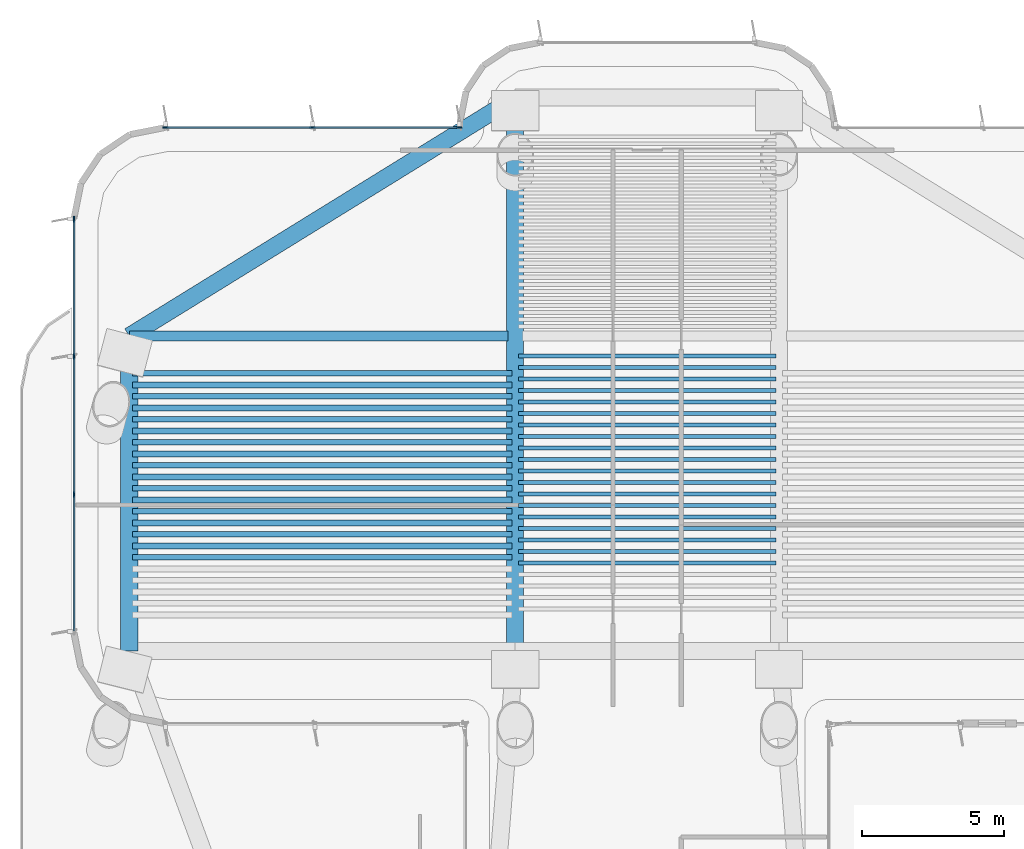
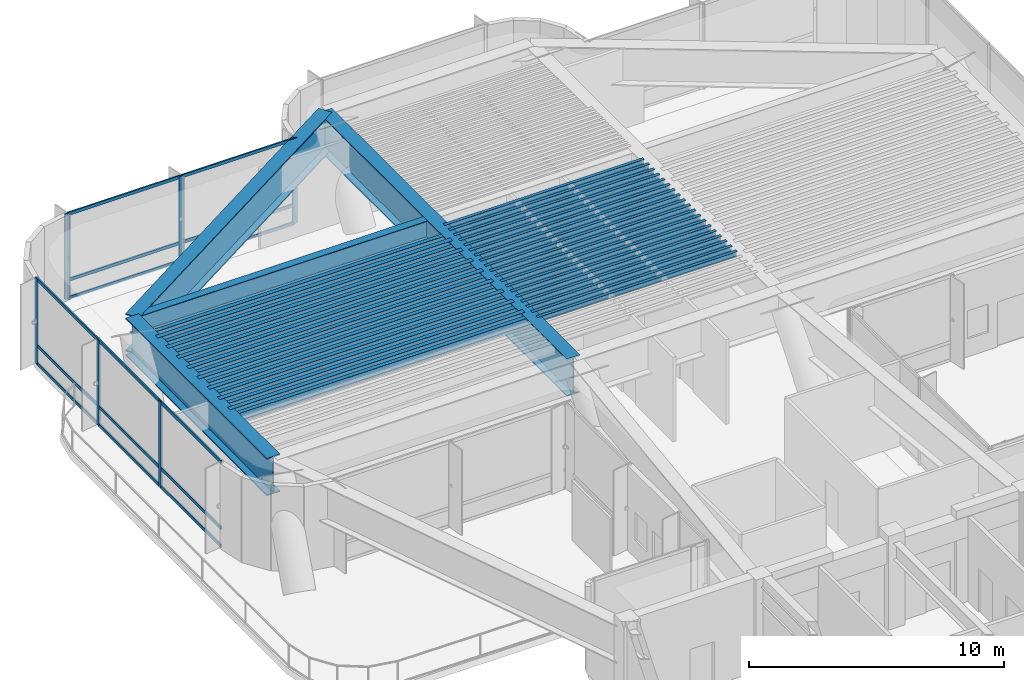
# One storey, part 5 of 13: 40 beams, 21 members, 2 elements without a shape of their own.
"""IFC4 building model written with IfcOpenShell, lengths in metres."""

from ifc_helpers import new_model, si_unit, direction, frame, origin, origin_2d, place, context, subcontext, project, spatial, rectangle, i_section, extrude, source, transform, mapped, material, layer, layer_set, material_profile, profile_set, type_object, element, aggregate, save


model = new_model("IFC4")

# Units and contexts
model_context = context("Model", 3, precision=1e-05, world=origin(), true_north=direction((0.0, 1.0)))
body_context = subcontext(model_context, "Body", "Model", "MODEL_VIEW")
ifc_project = project(units=[si_unit("LENGTHUNIT", "METRE"), si_unit("AREAUNIT", "SQUARE_METRE"), si_unit("VOLUMEUNIT", "CUBIC_METRE"), si_unit("PLANEANGLEUNIT", "RADIAN"), si_unit("MASSUNIT", "GRAM", prefix="KILO")], contexts=[model_context])

# Site, building, storey
site_placement = place(None, origin())
site = spatial("IfcSite", under=ifc_project, at=site_placement, CompositionType="ELEMENT")
building_placement = place(site_placement, origin())
building = spatial("IfcBuilding", under=site, at=building_placement, Name="Brelvock Crest Care Tower", CompositionType="ELEMENT")
storey_placement = place(building_placement, frame((0.0, 0.0, 151.919921875)))
storey = spatial("IfcBuildingStorey", under=building, at=storey_placement, Name="L38", CompositionType="ELEMENT", Elevation=151.919921875)

# Beams
ifc_material_1 = material(Name="Steel Grade 350", Category="steel")
ifc_material_profile_1 = material_profile(ifc_material_1, i_section(OverallWidth=0.14599609375, OverallDepth=0.256103515625, WebThickness=0.00634765625, FlangeThickness=0.010986328125, FilletRadius=0.0087890625, at=origin_2d()), Name="250UB37.3")
ifc_profile_set_1 = profile_set([ifc_material_profile_1], Name="Steel Grade 350")
beam_type_1 = type_object("IfcBeamType", Name="BM-J3", PredefinedType="JOIST", material=ifc_profile_set_1)
shared_shape_1 = source(origin(), body_context, "Body", "SweptSolid", [
    extrude(i_section(OverallWidth=0.14599609375, OverallDepth=0.256103515625, WebThickness=0.00634765625, FlangeThickness=0.010986328125, FilletRadius=0.0087890625, at=origin_2d()), origin(), (0.0, 0.0, 1.0), 9.06982421875),
])
for number, where, z_axis, x_axis, name in (
    (1, (31.465087890625, 38.0498046875, 3.964111328125), (1.0, 0.0, 0.0), (0.0, 1.0, 0.0), "BM-JH-L38-7"),
    (2, (31.465087890625, 38.454833984375, 3.964111328125), (1.0, 0.0, 0.0), (0.0, 1.0, 0.0), "BM-JH-L38-8"),
    (3, (31.465087890625, 38.860107421875, 3.964111328125), (1.0, 0.0, 0.0), (0.0, 1.0, 0.0), "BM-JH-L38-9"),
    (4, (31.465087890625, 39.26513671875, 3.964111328125), (1.0, 0.0, 0.0), (0.0, 1.0, 0.0), "BM-JH-L38-10"),
    (5, (31.465087890625, 39.67041015625, 3.964111328125), (1.0, 0.0, 0.0), (0.0, 1.0, 0.0), "BM-JH-L38-11"),
    (6, (31.465087890625, 40.075439453125, 3.964111328125), (1.0, 0.0, 0.0), (0.0, 1.0, 0.0), "BM-JH-L38-12"),
    (7, (31.465087890625, 40.480712890625, 3.964111328125), (1.0, 0.0, 0.0), (0.0, 1.0, 0.0), "BM-JH-L38-13"),
    (8, (31.465087890625, 40.8857421875, 3.964111328125), (1.0, 0.0, 0.0), (0.0, 1.0, 0.0), "BM-JH-L38-14"),
    (9, (31.465087890625, 41.291015625, 3.964111328125), (1.0, 0.0, 0.0), (0.0, 1.0, 0.0), "BM-JH-L38-15"),
    (10, (31.465087890625, 41.696044921875, 3.964111328125), (1.0, 0.0, 0.0), (0.0, 1.0, 0.0), "BM-JH-L38-16"),
    (11, (31.465087890625, 42.101318359375, 3.964111328125), (1.0, 0.0, 0.0), (0.0, 1.0, 0.0), "BM-JH-L38-17"),
    (12, (31.465087890625, 42.50634765625, 3.964111328125), (1.0, 0.0, 0.0), (0.0, 1.0, 0.0), "BM-JH-L38-18"),
    (13, (31.465087890625, 42.91162109375, 3.964111328125), (1.0, 0.0, 0.0), (0.0, 1.0, 0.0), "BM-JH-L38-19"),
    (14, (31.465087890625, 43.316650390625, 3.964111328125), (1.0, 0.0, 0.0), (0.0, 1.0, 0.0), "BM-JH-L38-20"),
    (15, (31.465087890625, 43.7216796875, 3.964111328125), (1.0, 0.0, 0.0), (0.0, 1.0, 0.0), "BM-JH-L38-21"),
    (16, (31.465087890625, 44.126953125, 3.964111328125), (1.0, 0.0, 0.0), (0.0, 1.0, 0.0), "BM-JH-L38-22"),
    (17, (31.465087890625, 44.531982421875, 3.964111328125), (1.0, 0.0, 0.0), (0.0, 1.0, 0.0), "BM-JH-L38-23"),
    (18, (31.465087890625, 44.937255859375, 3.964111328125), (1.0, 0.0, 0.0), (0.0, 1.0, 0.0), "BM-JH-L38-24"),
    (19, (31.465087890625, 45.34228515625, 3.964111328125), (1.0, 0.0, 0.0), (0.0, 1.0, 0.0), "BM-JH-L38-25"),
):
    element("IfcBeam", number, at=place(storey_placement, frame(where, z_axis=z_axis, x_axis=x_axis)), inside=storey, type_object=beam_type_1, Name=name, PredefinedType="JOIST", context=body_context, shape_type="MappedRepresentation", body=[
        mapped(shared_shape_1, transform((0.0, 0.0, 0.0), x_axis=(1.0, 0.0, 0.0), y_axis=(0.0, 1.0, 0.0), z_axis=(0.0, 0.0, 1.0), scale=1.0)),
    ])
ifc_material_profile_2 = material_profile(ifc_material_1, i_section(OverallWidth=0.60009765625, OverallDepth=1.800048828125, WebThickness=0.028076171875, FlangeThickness=0.052001953125, at=origin_2d()), Name="1800TG740")
ifc_profile_set_2 = profile_set([ifc_material_profile_2], Name="Steel Grade 350")
beam_type_2 = type_object("IfcBeamType", Name="BM-TG1", PredefinedType="USERDEFINED", material=ifc_profile_set_2)
shared_shape_2 = source(origin(), body_context, "Body", "SweptSolid", [
    extrude(i_section(OverallWidth=0.60009765625, OverallDepth=1.800048828125, WebThickness=0.028076171875, FlangeThickness=0.052001953125, at=origin_2d()), origin(), (0.0, 0.0, 1.0), 11.10009765625),
])
beam_1_placement = place(storey_placement, frame((17.75, 34.949951171875, 3.192138671875), z_axis=(0.0, 1.0, 0.0), x_axis=(-1.0, 0.0, 0.0)))
element("IfcBeam", 20, at=beam_1_placement, inside=storey, type_object=beam_type_2, Name="BM-TWR-L38-01", ObjectType="GIRDER", PredefinedType="USERDEFINED", context=body_context, shape_type="MappedRepresentation", body=[
    mapped(shared_shape_2, transform((0.0, 0.0, 0.0), x_axis=(1.0, 0.0, 0.0), y_axis=(0.0, 1.0, 0.0), z_axis=(0.0, 0.0, 1.0), scale=1.0)),
])
shared_shape_3 = source(origin(), body_context, "Body", "SweptSolid", [
    extrude(i_section(OverallWidth=0.60009765625, OverallDepth=1.800048828125, WebThickness=0.028076171875, FlangeThickness=0.052001953125, at=origin_2d()), origin(), (0.0, 0.0, 1.0), 15.985107421875),
])
beam_2_placement = place(storey_placement, frame((17.75, 46.050048828125, 3.192138671875), z_axis=(0.850802415717, 0.525485727124, 0.0), x_axis=(-0.525485727124, 0.850802415717, 0.0)))
element("IfcBeam", 21, at=beam_2_placement, inside=storey, type_object=beam_type_2, Name="BM-TWR-L38-06", ObjectType="GIRDER", PredefinedType="USERDEFINED", context=body_context, shape_type="MappedRepresentation", body=[
    mapped(shared_shape_3, transform((0.0, 0.0, 0.0), x_axis=(1.0, 0.0, 0.0), y_axis=(0.0, 1.0, 0.0), z_axis=(0.0, 0.0, 1.0), scale=1.0)),
])
shared_shape_4 = source(origin(), body_context, "Body", "SweptSolid", [
    extrude(i_section(OverallWidth=0.60009765625, OverallDepth=1.800048828125, WebThickness=0.028076171875, FlangeThickness=0.052001953125, at=origin_2d()), origin(), (0.0, 0.0, 1.0), 19.5),
])
beam_3_placement = place(storey_placement, frame((31.35009765625, 34.949951171875, 3.192138671875), z_axis=(0.0, 1.0, 0.0), x_axis=(-1.0, 0.0, 0.0)))
element("IfcBeam", 22, at=beam_3_placement, inside=storey, type_object=beam_type_2, Name="BM-TWR-L38-09", ObjectType="GIRDER", PredefinedType="USERDEFINED", context=body_context, shape_type="MappedRepresentation", body=[
    mapped(shared_shape_4, transform((0.0, 0.0, 0.0), x_axis=(1.0, 0.0, 0.0), y_axis=(0.0, 1.0, 0.0), z_axis=(0.0, 0.0, 1.0), scale=1.0)),
])
ifc_material_profile_3 = material_profile(ifc_material_1, i_section(OverallWidth=0.35009765625, OverallDepth=0.89990234375, WebThickness=0.01611328125, FlangeThickness=0.028076171875, at=origin_2d()), Name="900WB257")
ifc_profile_set_3 = profile_set([ifc_material_profile_3], Name="Steel Grade 350")
beam_type_3 = type_object("IfcBeamType", Name="BM-G6", PredefinedType="BEAM", material=ifc_profile_set_3)
shared_shape_5 = source(origin(), body_context, "Body", "SweptSolid", [
    extrude(i_section(OverallWidth=0.35009765625, OverallDepth=0.89990234375, WebThickness=0.01611328125, FlangeThickness=0.028076171875, at=origin_2d()), origin(), (0.0, 0.0, 1.0), 13.340087890625),
])
beam_4_placement = place(storey_placement, frame((17.75, 46.050048828125, 3.64208984375), z_axis=(1.0, 0.0, 0.0), x_axis=(0.0, 1.0, 0.0)))
element("IfcBeam", 23, at=beam_4_placement, inside=storey, type_object=beam_type_3, Name="BM-TIE-L38-W", PredefinedType="BEAM", context=body_context, shape_type="MappedRepresentation", body=[
    mapped(shared_shape_5, transform((0.0, 0.0, 0.0), x_axis=(1.0, 0.0, 0.0), y_axis=(0.0, 1.0, 0.0), z_axis=(0.0, 0.0, 1.0), scale=1.0)),
])
ifc_material_profile_4 = material_profile(ifc_material_1, i_section(OverallWidth=0.208984375, OverallDepth=0.532958984375, WebThickness=0.01025390625, FlangeThickness=0.015625, FilletRadius=0.013916015625, at=origin_2d()), Name="530UB92.4")
ifc_profile_set_4 = profile_set([ifc_material_profile_4], Name="Steel Grade 350")
beam_type_4 = type_object("IfcBeamType", Name="BM-G2", PredefinedType="BEAM", material=ifc_profile_set_4)
shared_shape_6 = source(origin(), body_context, "Body", "SweptSolid", [
    extrude(i_section(OverallWidth=0.208984375, OverallDepth=0.532958984375, WebThickness=0.01025390625, FlangeThickness=0.015625, FilletRadius=0.013916015625, at=origin_2d()), origin(), (0.0, 0.0, 1.0), 13.3701171875),
])
for number, where, z_axis, x_axis, name in (
    (24, (17.864990234375, 38.657470703125, 3.82568359375), (1.0, 0.0, 0.0), (0.0, 1.0, 0.0), "BM-JW-L38-9"),
    (25, (17.864990234375, 39.4677734375, 3.82568359375), (1.0, 0.0, 0.0), (0.0, 1.0, 0.0), "BM-JW-L38-11"),
    (26, (17.864990234375, 40.278076171875, 3.82568359375), (1.0, 0.0, 0.0), (0.0, 1.0, 0.0), "BM-JW-L38-13"),
    (27, (17.864990234375, 41.08837890625, 3.82568359375), (1.0, 0.0, 0.0), (0.0, 1.0, 0.0), "BM-JW-L38-15"),
    (28, (17.864990234375, 41.898681640625, 3.82568359375), (1.0, 0.0, 0.0), (0.0, 1.0, 0.0), "BM-JW-L38-17"),
    (29, (17.864990234375, 42.708984375, 3.82568359375), (1.0, 0.0, 0.0), (0.0, 1.0, 0.0), "BM-JW-L38-19"),
    (30, (17.864990234375, 43.519287109375, 3.82568359375), (1.0, 0.0, 0.0), (0.0, 1.0, 0.0), "BM-JW-L38-21"),
    (31, (17.864990234375, 44.32958984375, 3.82568359375), (1.0, 0.0, 0.0), (0.0, 1.0, 0.0), "BM-JW-L38-23"),
):
    element("IfcBeam", number, at=place(storey_placement, frame(where, z_axis=z_axis, x_axis=x_axis)), inside=storey, type_object=beam_type_4, Name=name, PredefinedType="BEAM", context=body_context, shape_type="MappedRepresentation", body=[
        mapped(shared_shape_6, transform((0.0, 0.0, 0.0), x_axis=(1.0, 0.0, 0.0), y_axis=(0.0, 1.0, 0.0), z_axis=(0.0, 0.0, 1.0), scale=1.0)),
    ])
ifc_material_profile_5 = material_profile(ifc_material_1, i_section(OverallWidth=0.19091796875, OverallDepth=0.4599609375, WebThickness=0.010009765625, FlangeThickness=0.01611328125, FilletRadius=0.011474609375, at=origin_2d()), Name="460UB82.1")
ifc_profile_set_5 = profile_set([ifc_material_profile_5], Name="Steel Grade 350")
beam_type_5 = type_object("IfcBeamType", Name="BM-G3", PredefinedType="BEAM", material=ifc_profile_set_5)
shared_shape_7 = source(origin(), body_context, "Body", "SweptSolid", [
    extrude(i_section(OverallWidth=0.19091796875, OverallDepth=0.4599609375, WebThickness=0.010009765625, FlangeThickness=0.01611328125, FilletRadius=0.011474609375, at=origin_2d()), origin(), (0.0, 0.0, 1.0), 13.3701171875),
])
for number, where, z_axis, x_axis, name in (
    (32, (17.864990234375, 38.252197265625, 3.862060546875), (1.0, 0.0, 0.0), (0.0, 1.0, 0.0), "BM-JW-L38-8"),
    (33, (17.864990234375, 39.0625, 3.862060546875), (1.0, 0.0, 0.0), (0.0, 1.0, 0.0), "BM-JW-L38-10"),
    (34, (17.864990234375, 39.872802734375, 3.862060546875), (1.0, 0.0, 0.0), (0.0, 1.0, 0.0), "BM-JW-L38-12"),
    (35, (17.864990234375, 40.68310546875, 3.862060546875), (1.0, 0.0, 0.0), (0.0, 1.0, 0.0), "BM-JW-L38-14"),
    (36, (17.864990234375, 41.493408203125, 3.862060546875), (1.0, 0.0, 0.0), (0.0, 1.0, 0.0), "BM-JW-L38-16"),
    (37, (17.864990234375, 42.3037109375, 3.862060546875), (1.0, 0.0, 0.0), (0.0, 1.0, 0.0), "BM-JW-L38-18"),
    (38, (17.864990234375, 43.114013671875, 3.862060546875), (1.0, 0.0, 0.0), (0.0, 1.0, 0.0), "BM-JW-L38-20"),
    (39, (17.864990234375, 43.92431640625, 3.862060546875), (1.0, 0.0, 0.0), (0.0, 1.0, 0.0), "BM-JW-L38-22"),
    (40, (17.864990234375, 44.734619140625, 3.862060546875), (1.0, 0.0, 0.0), (0.0, 1.0, 0.0), "BM-JW-L38-24"),
):
    element("IfcBeam", number, at=place(storey_placement, frame(where, z_axis=z_axis, x_axis=x_axis)), inside=storey, type_object=beam_type_5, Name=name, PredefinedType="BEAM", context=body_context, shape_type="MappedRepresentation", body=[
        mapped(shared_shape_7, transform((0.0, 0.0, 0.0), x_axis=(1.0, 0.0, 0.0), y_axis=(0.0, 1.0, 0.0), z_axis=(0.0, 0.0, 1.0), scale=1.0)),
    ])

# Curtain wall, members
ifc_material_2 = material(Name="Dark Glass Double Glazed Low-E", Category="glass")
ifc_layer = layer(ifc_material_2, 0.2548828125, Name="CWS-6")
ifc_layer_set = layer_set([ifc_layer], Name="Dark Glass Double Glazed Low-E")
curtain_wall_type = type_object("IfcCurtainWallType", Name="CWS-6", PredefinedType="NOTDEFINED", material=ifc_layer_set)
curtain_wall_1_placement = place(storey_placement, origin())
curtain_wall_1 = element("IfcCurtainWall", 41, at=curtain_wall_1_placement, inside=storey, type_object=curtain_wall_type, Name="L38 Curtain Wall E17", PredefinedType="NOTDEFINED")
ifc_material_3 = material(Name="Aluminium 6063-T6", Category="aluminium")
ifc_material_profile_6 = material_profile(ifc_material_3, rectangle(XDim=0.06494140625, YDim=0.199951171875, at=origin_2d()), Name="ALU65x200")
ifc_profile_set_6 = profile_set([ifc_material_profile_6], Name="Aluminium 6063-T6")
member_type_1 = type_object("IfcMemberType", Name="CWM-1", PredefinedType="MULLION", material=ifc_profile_set_6)
shared_shape_8 = source(origin(), body_context, "Body", "SweptSolid", [
    extrude(rectangle(XDim=0.06494140625, YDim=0.199951171875, at=origin_2d()), origin(), (0.0, 0.0, 1.0), 4.092041015625),
])
member_1_placement = place(storey_placement, frame((15.800048828125, 40.466552734375, 0.0), z_axis=(0.0, 0.0, 1.0), x_axis=(-1.0, 0.0, 0.0)))
member_1 = element("IfcMember", 42, at=member_1_placement, type_object=member_type_1, Name="CW-6 mullion 2", PredefinedType="MULLION", context=body_context, shape_type="MappedRepresentation", body=[
    mapped(shared_shape_8, transform((0.0, 0.0, 0.0), x_axis=(1.0, 0.0, 0.0), y_axis=(0.0, 1.0, 0.0), z_axis=(0.0, 0.0, 1.0), scale=1.0)),
])
member_2_placement = place(storey_placement, frame((15.800048828125, 45.333251953125, 0.0), z_axis=(0.0, 0.0, 1.0), x_axis=(-1.0, 0.0, 0.0)))
member_2 = element("IfcMember", 43, at=member_2_placement, type_object=member_type_1, Name="CW-6 mullion 3", PredefinedType="MULLION", context=body_context, shape_type="MappedRepresentation", body=[
    mapped(shared_shape_8, transform((0.0, 0.0, 0.0), x_axis=(1.0, 0.0, 0.0), y_axis=(0.0, 1.0, 0.0), z_axis=(0.0, 0.0, 1.0), scale=1.0)),
])
member_3_placement = place(storey_placement, frame((15.800048828125, 50.16748046875, 0.0), z_axis=(0.0, 0.0, 1.0), x_axis=(-1.0, 0.0, 0.0)))
member_3 = element("IfcMember", 44, at=member_3_placement, type_object=member_type_1, Name="CW-6 mullion 4", PredefinedType="MULLION", context=body_context, shape_type="MappedRepresentation", body=[
    mapped(shared_shape_8, transform((0.0, 0.0, 0.0), x_axis=(1.0, 0.0, 0.0), y_axis=(0.0, 1.0, 0.0), z_axis=(0.0, 0.0, 1.0), scale=1.0)),
])

curtain_wall_2_placement = place(storey_placement, origin())
curtain_wall_2 = element("IfcCurtainWall", 45, at=curtain_wall_2_placement, inside=storey, type_object=curtain_wall_type, Name="L38 Curtain Wall E22", PredefinedType="NOTDEFINED")
member_4_placement = place(storey_placement, frame((19.032470703125, 53.39990234375, 0.0), z_axis=(0.0, 0.0, 1.0), x_axis=(0.0, 1.0, 0.0)))
member_4 = element("IfcMember", 46, at=member_4_placement, type_object=member_type_1, Name="CW-6 mullion 1", PredefinedType="MULLION", context=body_context, shape_type="MappedRepresentation", body=[
    mapped(shared_shape_8, transform((0.0, 0.0, 0.0), x_axis=(1.0, 0.0, 0.0), y_axis=(0.0, 1.0, 0.0), z_axis=(0.0, 0.0, 1.0), scale=1.0)),
])
member_5_placement = place(storey_placement, frame((24.199951171875, 53.39990234375, 0.0), z_axis=(0.0, 0.0, 1.0), x_axis=(0.0, 1.0, 0.0)))
member_5 = element("IfcMember", 47, at=member_5_placement, type_object=member_type_1, Name="CW-6 mullion 2", PredefinedType="MULLION", context=body_context, shape_type="MappedRepresentation", body=[
    mapped(shared_shape_8, transform((0.0, 0.0, 0.0), x_axis=(1.0, 0.0, 0.0), y_axis=(0.0, 1.0, 0.0), z_axis=(0.0, 0.0, 1.0), scale=1.0)),
])
member_6_placement = place(storey_placement, frame((29.367431640625, 53.39990234375, 0.0), z_axis=(0.0, 0.0, 1.0), x_axis=(0.0, 1.0, 0.0)))
member_6 = element("IfcMember", 48, at=member_6_placement, type_object=member_type_1, Name="CW-6 mullion 3", PredefinedType="MULLION", context=body_context, shape_type="MappedRepresentation", body=[
    mapped(shared_shape_8, transform((0.0, 0.0, 0.0), x_axis=(1.0, 0.0, 0.0), y_axis=(0.0, 1.0, 0.0), z_axis=(0.0, 0.0, 1.0), scale=1.0)),
])

# Member
ifc_material_profile_7 = material_profile(ifc_material_3, rectangle(XDim=0.06494140625, YDim=0.14990234375, at=origin_2d()), Name="ALU65x150")
ifc_profile_set_7 = profile_set([ifc_material_profile_7], Name="Aluminium 6063-T6")
member_type_2 = type_object("IfcMemberType", Name="CWT-1", PredefinedType="USERDEFINED", material=ifc_profile_set_7)
shared_shape_9 = source(origin(), body_context, "Body", "SweptSolid", [
    extrude(rectangle(XDim=0.06494140625, YDim=0.14990234375, at=origin_2d()), origin(), (0.0, 0.0, 1.0), 4.76904296875),
])
member_7_placement = place(storey_placement, frame((15.800048828125, 35.6650390625, 0.032470703125), z_axis=(0.0, 1.0, 0.0), x_axis=(-1.0, 0.0, 0.0)))
member_7 = element("IfcMember", 49, at=member_7_placement, type_object=member_type_2, Name="CW-6 transom 1.1", ObjectType="TRANSOM", PredefinedType="USERDEFINED", context=body_context, shape_type="MappedRepresentation", body=[
    mapped(shared_shape_9, transform((0.0, 0.0, 0.0), x_axis=(1.0, 0.0, 0.0), y_axis=(0.0, 1.0, 0.0), z_axis=(0.0, 0.0, 1.0), scale=1.0)),
])

member_8_placement = place(storey_placement, frame((15.800048828125, 35.6650390625, 0.900146484375), z_axis=(0.0, 1.0, 0.0), x_axis=(-1.0, 0.0, 0.0)))
member_8 = element("IfcMember", 50, at=member_8_placement, type_object=member_type_2, Name="CW-6 transom 1.2", ObjectType="TRANSOM", PredefinedType="USERDEFINED", context=body_context, shape_type="MappedRepresentation", body=[
    mapped(shared_shape_9, transform((0.0, 0.0, 0.0), x_axis=(1.0, 0.0, 0.0), y_axis=(0.0, 1.0, 0.0), z_axis=(0.0, 0.0, 1.0), scale=1.0)),
])

member_9_placement = place(storey_placement, frame((15.800048828125, 35.6650390625, 4.0595703125), z_axis=(0.0, 1.0, 0.0), x_axis=(-1.0, 0.0, 0.0)))
member_9 = element("IfcMember", 51, at=member_9_placement, type_object=member_type_2, Name="CW-6 transom 1.3", ObjectType="TRANSOM", PredefinedType="USERDEFINED", context=body_context, shape_type="MappedRepresentation", body=[
    mapped(shared_shape_9, transform((0.0, 0.0, 0.0), x_axis=(1.0, 0.0, 0.0), y_axis=(0.0, 1.0, 0.0), z_axis=(0.0, 0.0, 1.0), scale=1.0)),
])

shared_shape_10 = source(origin(), body_context, "Body", "SweptSolid", [
    extrude(rectangle(XDim=0.06494140625, YDim=0.14990234375, at=origin_2d()), origin(), (0.0, 0.0, 1.0), 4.801513671875),
])
member_10_placement = place(storey_placement, frame((15.800048828125, 40.499267578125, 0.032470703125), z_axis=(0.0, 1.0, 0.0), x_axis=(-1.0, 0.0, 0.0)))
member_10 = element("IfcMember", 52, at=member_10_placement, type_object=member_type_2, Name="CW-6 transom 2.1", ObjectType="TRANSOM", PredefinedType="USERDEFINED", context=body_context, shape_type="MappedRepresentation", body=[
    mapped(shared_shape_10, transform((0.0, 0.0, 0.0), x_axis=(1.0, 0.0, 0.0), y_axis=(0.0, 1.0, 0.0), z_axis=(0.0, 0.0, 1.0), scale=1.0)),
])

member_11_placement = place(storey_placement, frame((15.800048828125, 40.499267578125, 0.900146484375), z_axis=(0.0, 1.0, 0.0), x_axis=(-1.0, 0.0, 0.0)))
member_11 = element("IfcMember", 53, at=member_11_placement, type_object=member_type_2, Name="CW-6 transom 2.2", ObjectType="TRANSOM", PredefinedType="USERDEFINED", context=body_context, shape_type="MappedRepresentation", body=[
    mapped(shared_shape_10, transform((0.0, 0.0, 0.0), x_axis=(1.0, 0.0, 0.0), y_axis=(0.0, 1.0, 0.0), z_axis=(0.0, 0.0, 1.0), scale=1.0)),
])

member_12_placement = place(storey_placement, frame((15.800048828125, 40.499267578125, 4.0595703125), z_axis=(0.0, 1.0, 0.0), x_axis=(-1.0, 0.0, 0.0)))
member_12 = element("IfcMember", 54, at=member_12_placement, type_object=member_type_2, Name="CW-6 transom 2.3", ObjectType="TRANSOM", PredefinedType="USERDEFINED", context=body_context, shape_type="MappedRepresentation", body=[
    mapped(shared_shape_10, transform((0.0, 0.0, 0.0), x_axis=(1.0, 0.0, 0.0), y_axis=(0.0, 1.0, 0.0), z_axis=(0.0, 0.0, 1.0), scale=1.0)),
])

shared_shape_11 = source(origin(), body_context, "Body", "SweptSolid", [
    extrude(rectangle(XDim=0.06494140625, YDim=0.14990234375, at=origin_2d()), origin(), (0.0, 0.0, 1.0), 4.769287109375),
])
member_13_placement = place(storey_placement, frame((15.800048828125, 45.36572265625, 0.032470703125), z_axis=(0.0, 1.0, 0.0), x_axis=(-1.0, 0.0, 0.0)))
member_13 = element("IfcMember", 55, at=member_13_placement, type_object=member_type_2, Name="CW-6 transom 3.1", ObjectType="TRANSOM", PredefinedType="USERDEFINED", context=body_context, shape_type="MappedRepresentation", body=[
    mapped(shared_shape_11, transform((0.0, 0.0, 0.0), x_axis=(1.0, 0.0, 0.0), y_axis=(0.0, 1.0, 0.0), z_axis=(0.0, 0.0, 1.0), scale=1.0)),
])

member_14_placement = place(storey_placement, frame((15.800048828125, 45.36572265625, 0.900146484375), z_axis=(0.0, 1.0, 0.0), x_axis=(-1.0, 0.0, 0.0)))
member_14 = element("IfcMember", 56, at=member_14_placement, type_object=member_type_2, Name="CW-6 transom 3.2", ObjectType="TRANSOM", PredefinedType="USERDEFINED", context=body_context, shape_type="MappedRepresentation", body=[
    mapped(shared_shape_11, transform((0.0, 0.0, 0.0), x_axis=(1.0, 0.0, 0.0), y_axis=(0.0, 1.0, 0.0), z_axis=(0.0, 0.0, 1.0), scale=1.0)),
])

member_15_placement = place(storey_placement, frame((15.800048828125, 45.36572265625, 4.0595703125), z_axis=(0.0, 1.0, 0.0), x_axis=(-1.0, 0.0, 0.0)))
member_15 = element("IfcMember", 57, at=member_15_placement, type_object=member_type_2, Name="CW-6 transom 3.3", ObjectType="TRANSOM", PredefinedType="USERDEFINED", context=body_context, shape_type="MappedRepresentation", body=[
    mapped(shared_shape_11, transform((0.0, 0.0, 0.0), x_axis=(1.0, 0.0, 0.0), y_axis=(0.0, 1.0, 0.0), z_axis=(0.0, 0.0, 1.0), scale=1.0)),
])

aggregate(curtain_wall_1, [member_1, member_2, member_3, member_7, member_8, member_9, member_10, member_11, member_12, member_13, member_14, member_15])

shared_shape_12 = source(origin(), body_context, "Body", "SweptSolid", [
    extrude(rectangle(XDim=0.06494140625, YDim=0.14990234375, at=origin_2d()), origin(), (0.0, 0.0, 1.0), 5.1025390625),
])
member_16_placement = place(storey_placement, frame((19.06494140625, 53.39990234375, 0.032470703125), z_axis=(1.0, 0.0, 0.0), x_axis=(0.0, 1.0, 0.0)))
member_16 = element("IfcMember", 58, at=member_16_placement, type_object=member_type_2, Name="CW-6 transom 1.1", ObjectType="TRANSOM", PredefinedType="USERDEFINED", context=body_context, shape_type="MappedRepresentation", body=[
    mapped(shared_shape_12, transform((0.0, 0.0, 0.0), x_axis=(1.0, 0.0, 0.0), y_axis=(0.0, 1.0, 0.0), z_axis=(0.0, 0.0, 1.0), scale=1.0)),
])

member_17_placement = place(storey_placement, frame((19.06494140625, 53.39990234375, 0.900146484375), z_axis=(1.0, 0.0, 0.0), x_axis=(0.0, 1.0, 0.0)))
member_17 = element("IfcMember", 59, at=member_17_placement, type_object=member_type_2, Name="CW-6 transom 1.2", ObjectType="TRANSOM", PredefinedType="USERDEFINED", context=body_context, shape_type="MappedRepresentation", body=[
    mapped(shared_shape_12, transform((0.0, 0.0, 0.0), x_axis=(1.0, 0.0, 0.0), y_axis=(0.0, 1.0, 0.0), z_axis=(0.0, 0.0, 1.0), scale=1.0)),
])

member_18_placement = place(storey_placement, frame((19.06494140625, 53.39990234375, 4.0595703125), z_axis=(1.0, 0.0, 0.0), x_axis=(0.0, 1.0, 0.0)))
member_18 = element("IfcMember", 60, at=member_18_placement, type_object=member_type_2, Name="CW-6 transom 1.3", ObjectType="TRANSOM", PredefinedType="USERDEFINED", context=body_context, shape_type="MappedRepresentation", body=[
    mapped(shared_shape_12, transform((0.0, 0.0, 0.0), x_axis=(1.0, 0.0, 0.0), y_axis=(0.0, 1.0, 0.0), z_axis=(0.0, 0.0, 1.0), scale=1.0)),
])

member_19_placement = place(storey_placement, frame((24.232421875, 53.39990234375, 0.032470703125), z_axis=(1.0, 0.0, 0.0), x_axis=(0.0, 1.0, 0.0)))
member_19 = element("IfcMember", 61, at=member_19_placement, type_object=member_type_2, Name="CW-6 transom 2.1", ObjectType="TRANSOM", PredefinedType="USERDEFINED", context=body_context, shape_type="MappedRepresentation", body=[
    mapped(shared_shape_12, transform((0.0, 0.0, 0.0), x_axis=(1.0, 0.0, 0.0), y_axis=(0.0, 1.0, 0.0), z_axis=(0.0, 0.0, 1.0), scale=1.0)),
])

member_20_placement = place(storey_placement, frame((24.232421875, 53.39990234375, 0.900146484375), z_axis=(1.0, 0.0, 0.0), x_axis=(0.0, 1.0, 0.0)))
member_20 = element("IfcMember", 62, at=member_20_placement, type_object=member_type_2, Name="CW-6 transom 2.2", ObjectType="TRANSOM", PredefinedType="USERDEFINED", context=body_context, shape_type="MappedRepresentation", body=[
    mapped(shared_shape_12, transform((0.0, 0.0, 0.0), x_axis=(1.0, 0.0, 0.0), y_axis=(0.0, 1.0, 0.0), z_axis=(0.0, 0.0, 1.0), scale=1.0)),
])

member_21_placement = place(storey_placement, frame((24.232421875, 53.39990234375, 4.0595703125), z_axis=(1.0, 0.0, 0.0), x_axis=(0.0, 1.0, 0.0)))
member_21 = element("IfcMember", 63, at=member_21_placement, type_object=member_type_2, Name="CW-6 transom 2.3", ObjectType="TRANSOM", PredefinedType="USERDEFINED", context=body_context, shape_type="MappedRepresentation", body=[
    mapped(shared_shape_12, transform((0.0, 0.0, 0.0), x_axis=(1.0, 0.0, 0.0), y_axis=(0.0, 1.0, 0.0), z_axis=(0.0, 0.0, 1.0), scale=1.0)),
])

aggregate(curtain_wall_2, [member_4, member_5, member_6, member_16, member_17, member_18, member_19, member_20, member_21])

save(model, "model.ifc")
